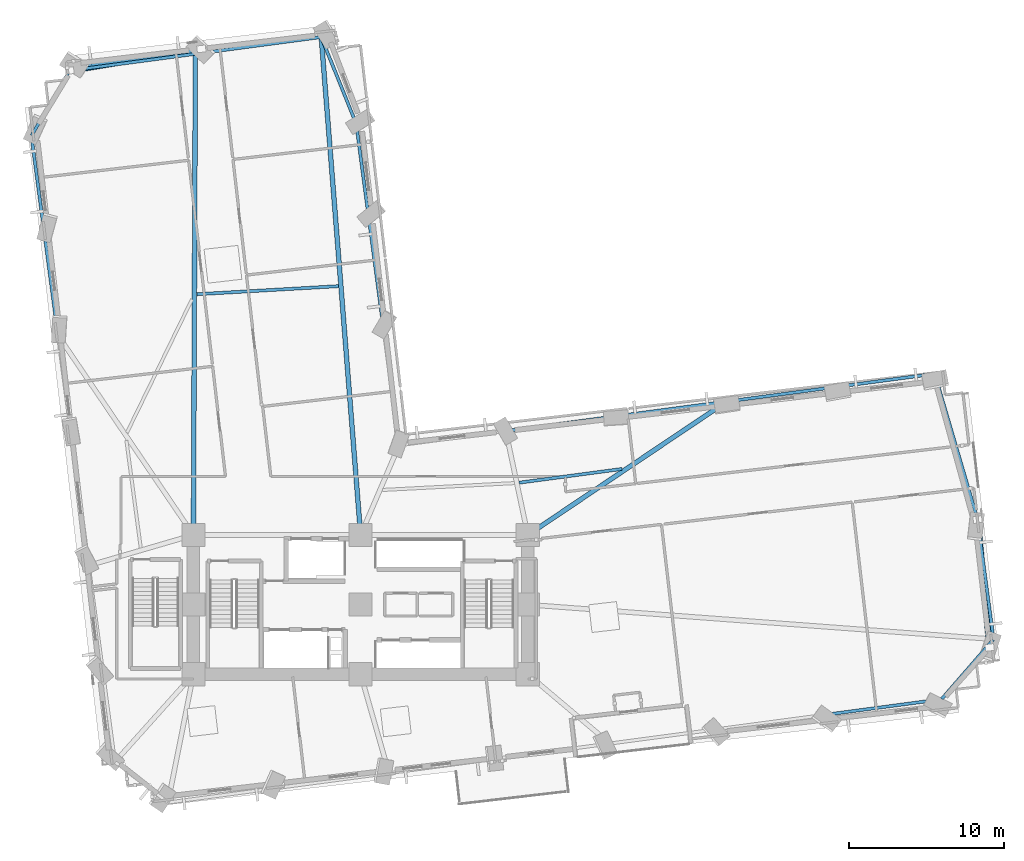
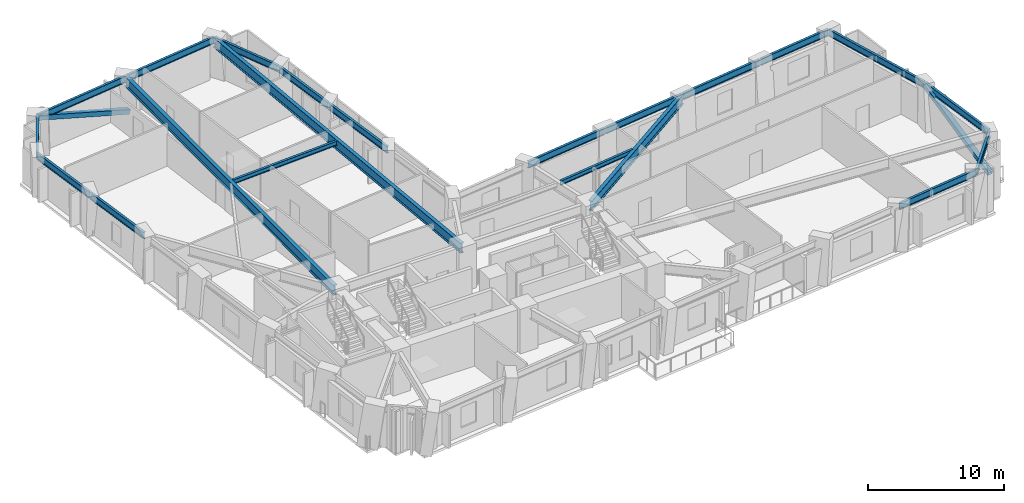
# One storey, part 2 of 14: 21 beams, 2 members.
"""IFC4 building model written with IfcOpenShell, lengths in metres."""

from ifc_helpers import new_model, si_unit, direction, frame, origin, origin_2d, place, context, subcontext, project, spatial, hollow_rectangle, i_section, extrude, material, material_profile, profile_set, type_object, element, save


model = new_model("IFC4")

# Units and contexts
model_context = context("Model", 3, precision=1e-05, world=origin(), true_north=direction((0.0, 1.0)))
body_context = subcontext(model_context, "Body", "Model", "MODEL_VIEW")
ifc_project = project(units=[si_unit("LENGTHUNIT", "METRE"), si_unit("AREAUNIT", "SQUARE_METRE"), si_unit("VOLUMEUNIT", "CUBIC_METRE"), si_unit("PLANEANGLEUNIT", "RADIAN"), si_unit("MASSUNIT", "GRAM", prefix="KILO")], contexts=[model_context])

# Site, building, storey
site_placement = place(None, origin())
site = spatial("IfcSite", under=ifc_project, at=site_placement, CompositionType="ELEMENT")
building_placement = place(site_placement, origin())
building = spatial("IfcBuilding", under=site, at=building_placement, Name="Gaonmaruhae Medical Tower", CompositionType="ELEMENT")
storey_placement = place(building_placement, frame((0.0, 0.0, 51.0)))
storey = spatial("IfcBuildingStorey", under=building, at=storey_placement, Name="L11", CompositionType="ELEMENT", Elevation=51.0)

# Beams
ifc_material_1 = material(Name="Steel SM355", Category="steel")
ifc_material_profile_1 = material_profile(ifc_material_1, i_section(OverallWidth=0.199951171875, OverallDepth=0.39990234375, WebThickness=0.008056640625, FlangeThickness=0.012939453125, FilletRadius=0.012939453125, at=origin_2d()), Name="H-400x200x8x13")
ifc_profile_set_1 = profile_set([ifc_material_profile_1], Name="Steel SM355")
beam_type_1 = type_object("IfcBeamType", Name="FJ-01 Lower Zone Ward Floor Joist (H-400x200x8x13)", PredefinedType="JOIST", material=ifc_profile_set_1)
beam_1_placement = place(storey_placement, frame((41.68212890625, 21.06396484375, 3.580078125), z_axis=(-0.991214207825, -0.132266375945, 0.0), x_axis=(0.132266375945, -0.991214207825, 0.0)))
element("IfcBeam", 1, at=beam_1_placement, inside=storey, type_object=beam_type_1, Name="L11 Secondary Floor Joist FJ05", PredefinedType="JOIST", context=body_context, shape_type="SweptSolid", body=[
    extrude(i_section(OverallWidth=0.199951171875, OverallDepth=0.39990234375, WebThickness=0.008056640625, FlangeThickness=0.012939453125, FilletRadius=0.012939453125, at=origin_2d()), origin(), (0.0, 0.0, 1.0), 6.698486328125),
])
beam_2_placement = place(storey_placement, frame((23.37158203125, 32.8720703125, 3.580078125), z_axis=(-0.998362394226, -0.057206029365, 0.0), x_axis=(0.057206029365, -0.998362394226, 0.0)))
element("IfcBeam", 2, at=beam_2_placement, inside=storey, type_object=beam_type_1, Name="L11 Secondary Floor Joist FJ08", PredefinedType="JOIST", context=body_context, shape_type="SweptSolid", body=[
    extrude(i_section(OverallWidth=0.199951171875, OverallDepth=0.39990234375, WebThickness=0.008056640625, FlangeThickness=0.012939453125, FilletRadius=0.012939453125, at=origin_2d()), origin(), (0.0, 0.0, 1.0), 9.1669921875),
])

# Members
ifc_material_2 = material(Name="Steel SM420", Category="steel")
ifc_material_profile_2 = material_profile(ifc_material_2, hollow_rectangle(XDim=0.39990234375, YDim=0.39990234375, WallThickness=0.01611328125, at=origin_2d()), Name="RHS-400x400x16")
ifc_profile_set_2 = profile_set([ifc_material_profile_2], Name="Steel SM420")
member_type = type_object("IfcMemberType", Name="PB-01 Perimeter Solid-Bay Tube Brace Lower (RHS-400x400x16)", PredefinedType="BRACE", material=ifc_profile_set_2)
member_1_placement = place(storey_placement, frame((65.43212890625, 9.53369140625, 0.25), z_axis=(-0.087746371, 0.925837761741, 0.367593543619), x_axis=(-0.995538870818, -0.094352300925, 0.0)))
element("IfcMember", 3, at=member_1_placement, inside=storey, type_object=member_type, Name="L11 Perimeter Tube Solid-Bay Brace E01-E02", PredefinedType="BRACE", context=body_context, shape_type="SweptSolid", body=[
    extrude(hollow_rectangle(XDim=0.39990234375, YDim=0.39990234375, WallThickness=0.01611328125, at=origin_2d()), origin(), (0.0, 0.0, 1.0), 8.923095703125),
])
member_2_placement = place(storey_placement, frame((14.51220703125, 48.197021484375, 0.25), z_axis=(-0.922277218025, -0.152130382211, 0.355332351357), x_axis=(0.162751543362, -0.986667084245, 0.0)))
element("IfcMember", 4, at=member_2_placement, inside=storey, type_object=member_type, Name="L11 Perimeter Tube Solid-Bay Brace N02-N03", PredefinedType="BRACE", context=body_context, shape_type="SweptSolid", body=[
    extrude(hollow_rectangle(XDim=0.39990234375, YDim=0.39990234375, WallThickness=0.01611328125, at=origin_2d()), origin(), (0.0, 0.0, 1.0), 9.23095703125),
])

# Beams
ifc_material_profile_3 = material_profile(ifc_material_2, i_section(OverallWidth=0.300048828125, OverallDepth=0.89990234375, WebThickness=0.01611328125, FlangeThickness=0.028076171875, FilletRadius=0.01806640625, at=origin_2d()), Name="H-900x300x16x28")
ifc_profile_set_3 = profile_set([ifc_material_profile_3], Name="Steel SM420")
beam_type_2 = type_object("IfcBeamType", Name="PG-01 Zone 1 Radial Floor Girder (H-900x300x16x28)", PredefinedType="BEAM", material=ifc_profile_set_3)
beam_3_placement = place(storey_placement, frame((35.6416015625, 16.827880859375, 3.330078125), z_axis=(0.830448816658, 0.557094931687, 0.0), x_axis=(-0.557094931687, 0.830448816658, 0.0)))
element("IfcBeam", 5, at=beam_3_placement, inside=storey, type_object=beam_type_2, Name="L11 Radial Primary Girder EN02", PredefinedType="BEAM", context=body_context, shape_type="SweptSolid", body=[
    extrude(i_section(OverallWidth=0.300048828125, OverallDepth=0.89990234375, WebThickness=0.01611328125, FlangeThickness=0.028076171875, FilletRadius=0.01806640625, at=origin_2d()), origin(), (0.0, 0.0, 1.0), 15.37158203125),
])
beam_4_placement = place(storey_placement, frame((24.796142578125, 16.849853515625, 3.330078125), z_axis=(-0.078892272284, 0.996883147302, 0.0), x_axis=(-0.996883147302, -0.078892272284, 0.0)))
element("IfcBeam", 6, at=beam_4_placement, inside=storey, type_object=beam_type_2, Name="L11 Radial Primary Girder N01", PredefinedType="BEAM", context=body_context, shape_type="SweptSolid", body=[
    extrude(i_section(OverallWidth=0.300048828125, OverallDepth=0.89990234375, WebThickness=0.01611328125, FlangeThickness=0.028076171875, FilletRadius=0.01806640625, at=origin_2d()), origin(), (0.0, 0.0, 1.0), 32.162353515625),
])
beam_5_placement = place(storey_placement, frame((14.000244140625, 16.85009765625, 3.330078125), z_axis=(0.004082499356, 0.999991666565, 0.0), x_axis=(-0.999991666565, 0.004082499356, 0.0)))
element("IfcBeam", 7, at=beam_5_placement, inside=storey, type_object=beam_type_2, Name="L11 Radial Primary Girder N02", PredefinedType="BEAM", context=body_context, shape_type="SweptSolid", body=[
    extrude(i_section(OverallWidth=0.300048828125, OverallDepth=0.89990234375, WebThickness=0.01611328125, FlangeThickness=0.028076171875, FilletRadius=0.01806640625, at=origin_2d()), origin(), (0.0, 0.0, 1.0), 30.977294921875),
])
ifc_material_profile_4 = material_profile(ifc_material_1, i_section(OverallWidth=0.199951171875, OverallDepth=0.60009765625, WebThickness=0.010986328125, FlangeThickness=0.01708984375, FilletRadius=0.012939453125, at=origin_2d()), Name="H-600x200x11x17")
ifc_profile_set_4 = profile_set([ifc_material_profile_4], Name="Steel SM355")
beam_type_3 = type_object("IfcBeamType", Name="SP-01 Lower Perimeter Spandrel Beam (H-600x200x11x17)", PredefinedType="SPANDREL", material=ifc_profile_set_4)
beam_6_placement = place(storey_placement, frame((55.21728515625, 5.237060546875, 3.47998046875), z_axis=(0.991215617957, 0.132255807882, 0.0), x_axis=(-0.132255807882, 0.991215617957, 0.0)))
element("IfcBeam", 8, at=beam_6_placement, inside=storey, type_object=beam_type_3, Name="L11 Perimeter Spandrel Beam S07-S08", PredefinedType="SPANDREL", context=body_context, shape_type="SweptSolid", body=[
    extrude(i_section(OverallWidth=0.199951171875, OverallDepth=0.60009765625, WebThickness=0.010986328125, FlangeThickness=0.01708984375, FilletRadius=0.012939453125, at=origin_2d()), origin(), (0.0, 0.0, 1.0), 7.119873046875),
])
beam_7_placement = place(storey_placement, frame((62.340576171875, 6.21435546875, 3.47998046875), z_axis=(0.655415700763, 0.755268335887, 0.0), x_axis=(-0.755268335887, 0.655415700763, 0.0)))
element("IfcBeam", 9, at=beam_7_placement, inside=storey, type_object=beam_type_3, Name="L11 Perimeter Spandrel Beam S08-E01", PredefinedType="SPANDREL", context=body_context, shape_type="SweptSolid", body=[
    extrude(i_section(OverallWidth=0.199951171875, OverallDepth=0.60009765625, WebThickness=0.010986328125, FlangeThickness=0.01708984375, FilletRadius=0.012939453125, at=origin_2d()), origin(), (0.0, 0.0, 1.0), 5.056396484375),
])
beam_8_placement = place(storey_placement, frame((65.675537109375, 10.10302734375, 3.47998046875), z_axis=(-0.132250719548, 0.991216296869, 0.0), x_axis=(-0.991216296869, -0.132250719548, 0.0)))
element("IfcBeam", 10, at=beam_8_placement, inside=storey, type_object=beam_type_3, Name="L11 Perimeter Spandrel Beam E01-E02", PredefinedType="SPANDREL", context=body_context, shape_type="SweptSolid", body=[
    extrude(i_section(OverallWidth=0.199951171875, OverallDepth=0.60009765625, WebThickness=0.010986328125, FlangeThickness=0.01708984375, FilletRadius=0.012939453125, at=origin_2d()), origin(), (0.0, 0.0, 1.0), 7.72021484375),
])
beam_9_placement = place(storey_placement, frame((64.637939453125, 17.833251953125, 3.47998046875), z_axis=(-0.282178543542, 0.959361907501, 0.0), x_axis=(-0.959361907501, -0.282178543542, 0.0)))
element("IfcBeam", 11, at=beam_9_placement, inside=storey, type_object=beam_type_3, Name="L11 Perimeter Spandrel Beam E02-E03", PredefinedType="SPANDREL", context=body_context, shape_type="SweptSolid", body=[
    extrude(i_section(OverallWidth=0.199951171875, OverallDepth=0.60009765625, WebThickness=0.010986328125, FlangeThickness=0.01708984375, FilletRadius=0.012939453125, at=origin_2d()), origin(), (0.0, 0.0, 1.0), 9.735107421875),
])
beam_10_placement = place(storey_placement, frame((61.83984375, 27.2060546875, 3.47998046875), z_axis=(-0.9912132715, -0.132273392649, 0.0), x_axis=(0.132273392649, -0.9912132715, 0.0)))
element("IfcBeam", 12, at=beam_10_placement, inside=storey, type_object=beam_type_3, Name="L11 Perimeter Spandrel Beam E03-EN01", PredefinedType="SPANDREL", context=body_context, shape_type="SweptSolid", body=[
    extrude(i_section(OverallWidth=0.199951171875, OverallDepth=0.60009765625, WebThickness=0.010986328125, FlangeThickness=0.01708984375, FilletRadius=0.012939453125, at=origin_2d()), origin(), (0.0, 0.0, 1.0), 6.27001953125),
])
beam_11_placement = place(storey_placement, frame((55.545654296875, 26.3662109375, 3.47998046875), z_axis=(-0.991215617957, -0.132255807882, 0.0), x_axis=(0.132255807882, -0.991215617957, 0.0)))
element("IfcBeam", 13, at=beam_11_placement, inside=storey, type_object=beam_type_3, Name="L11 Perimeter Spandrel Beam EN01-EN02", PredefinedType="SPANDREL", context=body_context, shape_type="SweptSolid", body=[
    extrude(i_section(OverallWidth=0.199951171875, OverallDepth=0.60009765625, WebThickness=0.010986328125, FlangeThickness=0.01708984375, FilletRadius=0.012939453125, at=origin_2d()), origin(), (0.0, 0.0, 1.0), 7.119873046875),
])
for number, where, z_axis, x_axis, name in (
    (14, (48.408935546875, 25.4140625, 3.47998046875), (-0.99121621771, -0.132251312844, 0.0), (0.132251312844, -0.99121621771, 0.0), "L11 Perimeter Spandrel Beam EN02-EN03"),
    (15, (41.272216796875, 24.461669921875, 3.47998046875), (-0.99121621771, -0.132251312844, 0.0), (0.132251312844, -0.99121621771, 0.0), "L11 Perimeter Spandrel Beam EN03-EN04"),
):
    element("IfcBeam", number, at=place(storey_placement, frame(where, z_axis=z_axis, x_axis=x_axis)), inside=storey, type_object=beam_type_3, Name=name, PredefinedType="SPANDREL", context=body_context, shape_type="SweptSolid", body=[
        extrude(i_section(OverallWidth=0.199951171875, OverallDepth=0.60009765625, WebThickness=0.010986328125, FlangeThickness=0.01708984375, FilletRadius=0.012939453125, at=origin_2d()), origin(), (0.0, 0.0, 1.0), 7.1201171875),
    ])
beam_12_placement = place(storey_placement, frame((26.255859375, 30.317138671875, 3.47998046875), z_axis=(-0.132255807882, 0.991215617957, 0.0), x_axis=(-0.991215617957, -0.132255807882, 0.0)))
element("IfcBeam", 16, at=beam_12_placement, inside=storey, type_object=beam_type_3, Name="L11 Perimeter Spandrel Beam NE01-NE02", PredefinedType="SPANDREL", context=body_context, shape_type="SweptSolid", body=[
    extrude(i_section(OverallWidth=0.199951171875, OverallDepth=0.60009765625, WebThickness=0.010986328125, FlangeThickness=0.01708984375, FilletRadius=0.012939453125, at=origin_2d()), origin(), (0.0, 0.0, 1.0), 7.119873046875),
])
beam_13_placement = place(storey_placement, frame((25.303466796875, 37.453857421875, 3.47998046875), z_axis=(-0.132258266475, 0.991215289909, 0.0), x_axis=(-0.991215289909, -0.132258266475, 0.0)))
element("IfcBeam", 17, at=beam_13_placement, inside=storey, type_object=beam_type_3, Name="L11 Perimeter Spandrel Beam NE02-NE03", PredefinedType="SPANDREL", context=body_context, shape_type="SweptSolid", body=[
    extrude(i_section(OverallWidth=0.199951171875, OverallDepth=0.60009765625, WebThickness=0.010986328125, FlangeThickness=0.01708984375, FilletRadius=0.012939453125, at=origin_2d()), origin(), (0.0, 0.0, 1.0), 5.919921875),
])
beam_14_placement = place(storey_placement, frame((24.500244140625, 43.398681640625, 3.47998046875), z_axis=(-0.37429911287, 0.927308025472, 0.0), x_axis=(-0.927308025472, -0.37429911287, 0.0)))
element("IfcBeam", 18, at=beam_14_placement, inside=storey, type_object=beam_type_3, Name="L11 Perimeter Spandrel Beam NE03-N01", PredefinedType="SPANDREL", context=body_context, shape_type="SweptSolid", body=[
    extrude(i_section(OverallWidth=0.199951171875, OverallDepth=0.60009765625, WebThickness=0.010986328125, FlangeThickness=0.01708984375, FilletRadius=0.012939453125, at=origin_2d()), origin(), (0.0, 0.0, 1.0), 5.958984375),
])
for number, where, z_axis, x_axis, name in (
    (19, (22.215087890625, 48.95654296875, 3.47998046875), (-0.991214503363, -0.13226416114, 0.0), (0.13226416114, -0.991214503363, 0.0), "L11 Perimeter Spandrel Beam N01-N02"),
    (20, (14.087158203125, 47.8720703125, 3.47998046875), (-0.991214503363, -0.13226416114, 0.0), (0.13226416114, -0.991214503363, 0.0), "L11 Perimeter Spandrel Beam N02-N03"),
):
    element("IfcBeam", number, at=place(storey_placement, frame(where, z_axis=z_axis, x_axis=x_axis)), inside=storey, type_object=beam_type_3, Name=name, PredefinedType="SPANDREL", context=body_context, shape_type="SweptSolid", body=[
        extrude(i_section(OverallWidth=0.199951171875, OverallDepth=0.60009765625, WebThickness=0.010986328125, FlangeThickness=0.01708984375, FilletRadius=0.012939453125, at=origin_2d()), origin(), (0.0, 0.0, 1.0), 8.119873046875),
    ])
beam_15_placement = place(storey_placement, frame((5.978759765625, 46.75830078125, 3.47998046875), z_axis=(-0.504914055501, -0.863169622124, 0.0), x_axis=(0.863169622124, -0.504914055501, 0.0)))
element("IfcBeam", 21, at=beam_15_placement, inside=storey, type_object=beam_type_3, Name="L11 Perimeter Spandrel Beam N03-W01", PredefinedType="SPANDREL", context=body_context, shape_type="SweptSolid", body=[
    extrude(i_section(OverallWidth=0.199951171875, OverallDepth=0.60009765625, WebThickness=0.010986328125, FlangeThickness=0.01708984375, FilletRadius=0.012939453125, at=origin_2d()), origin(), (0.0, 0.0, 1.0), 4.801025390625),
])
beam_16_placement = place(storey_placement, frame((3.539794921875, 42.540283203125, 3.47998046875), z_axis=(0.132226976875, -0.99121946439, 0.0), x_axis=(0.99121946439, 0.132226976875, 0.0)))
element("IfcBeam", 22, at=beam_16_placement, inside=storey, type_object=beam_type_3, Name="L11 Perimeter Spandrel Beam W01-W02", PredefinedType="SPANDREL", context=body_context, shape_type="SweptSolid", body=[
    extrude(i_section(OverallWidth=0.199951171875, OverallDepth=0.60009765625, WebThickness=0.010986328125, FlangeThickness=0.01708984375, FilletRadius=0.012939453125, at=origin_2d()), origin(), (0.0, 0.0, 1.0), 6.320068359375),
])
beam_17_placement = place(storey_placement, frame((4.38623046875, 36.1962890625, 3.47998046875), z_axis=(0.132256924053, -0.991215469028, 0.0), x_axis=(0.991215469028, 0.132256924053, 0.0)))
element("IfcBeam", 23, at=beam_17_placement, inside=storey, type_object=beam_type_3, Name="L11 Perimeter Spandrel Beam W02-W03", PredefinedType="SPANDREL", context=body_context, shape_type="SweptSolid", body=[
    extrude(i_section(OverallWidth=0.199951171875, OverallDepth=0.60009765625, WebThickness=0.010986328125, FlangeThickness=0.01708984375, FilletRadius=0.012939453125, at=origin_2d()), origin(), (0.0, 0.0, 1.0), 6.52001953125),
])

save(model, "model.ifc")
